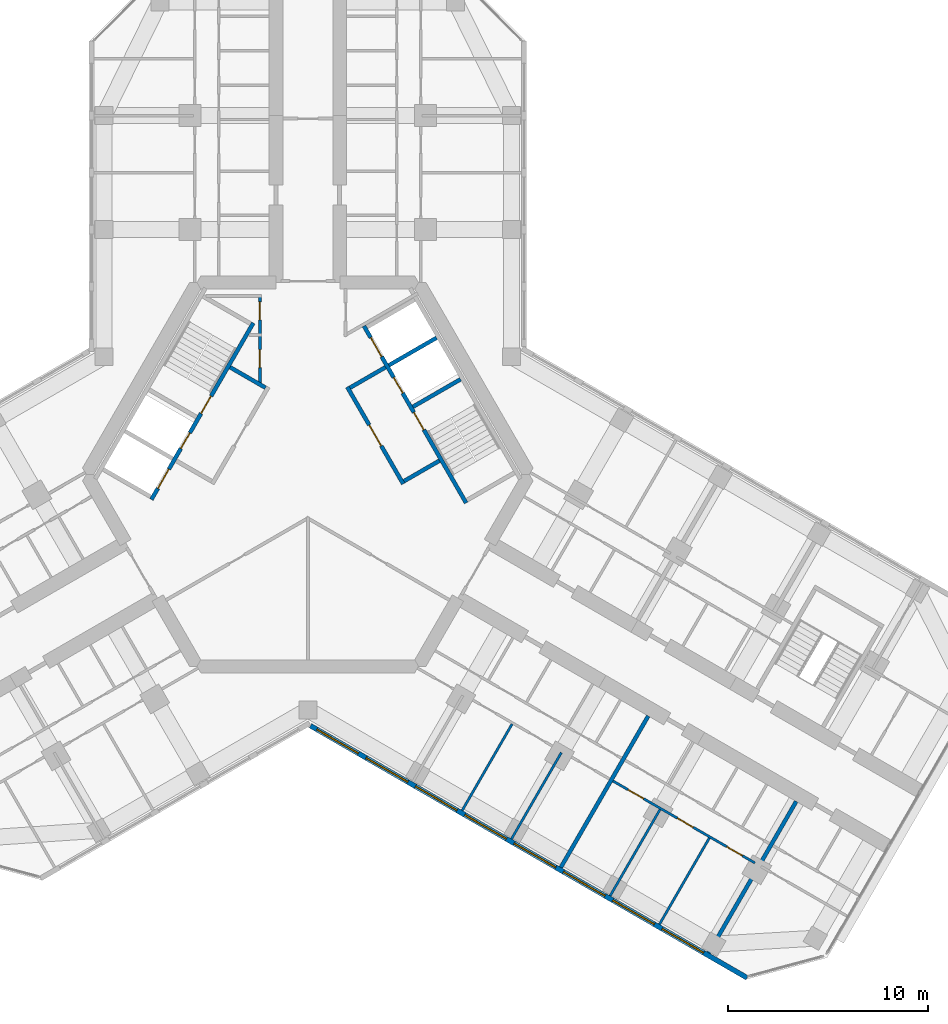
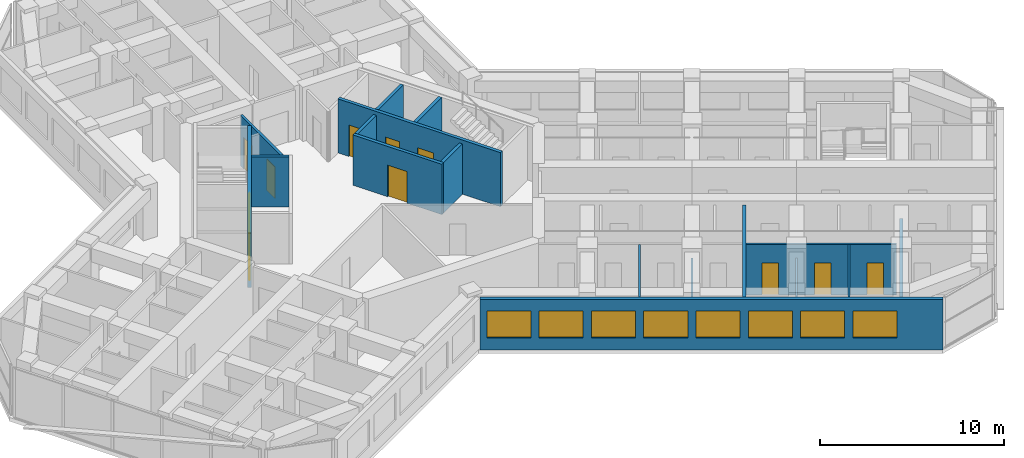
# One storey, part 10 of 16: 17 walls, 12 doors, 8 windows, 20 openings.
"""IFC4 building model written with IfcOpenShell, lengths in metres."""

from ifc_helpers import new_model, si_unit, direction, frame, frame_2d, origin, place, context, subcontext, project, spatial, rectangle, extrude, material, layer, layer_set, type_object, element, fill, save


model = new_model("IFC4")

# Units and contexts
model_context = context("Model", 3, precision=1e-05, world=origin(), true_north=direction((0.0, 1.0)))
body_context = subcontext(model_context, "Body", "Model", "MODEL_VIEW")
ifc_project = project(units=[si_unit("LENGTHUNIT", "METRE"), si_unit("AREAUNIT", "SQUARE_METRE"), si_unit("VOLUMEUNIT", "CUBIC_METRE"), si_unit("PLANEANGLEUNIT", "RADIAN"), si_unit("MASSUNIT", "GRAM", prefix="KILO")], contexts=[model_context])

# Site, building, storey
site_placement = place(None, origin())
site = spatial("IfcSite", under=ifc_project, at=site_placement, CompositionType="ELEMENT")
building_placement = place(site_placement, origin())
building = spatial("IfcBuilding", under=site, at=building_placement, Name="Kosmar Iwan School Tower", CompositionType="ELEMENT")
storey_placement = place(building_placement, frame((0.0, 0.0, 208.199951171875)))
storey = spatial("IfcBuildingStorey", under=building, at=storey_placement, Name="L52", CompositionType="ELEMENT", Elevation=208.199951171875)

# Wall, openings, doors
ifc_material_1 = material(Name="Gypsum board on steel studs, fire-rated", Category="steel")
ifc_layer_1 = layer(ifc_material_1, 0.14990234375)
ifc_layer_set_1 = layer_set([ifc_layer_1], Name="Core room partition 150")
wall_type_1 = type_object("IfcWallType", Name="Core room partition 150", PredefinedType="PARTITIONING", material=ifc_layer_set_1)
wall_1_placement = place(storey_placement, frame((-2.39990234375, 9.014892578125, 0.0), z_axis=(0.0, 0.0, 1.0), x_axis=(0.0, -1.0, 0.0)))
wall_1 = element("IfcWall", 1, at=wall_1_placement, inside=storey, type_object=wall_type_1, Name="Core room partition L52-CW1", PredefinedType="PARTITIONING", context=body_context, shape_type="SweptSolid", body=[
    extrude(rectangle(XDim=4.484130859375, YDim=0.14990234375, at=frame_2d((2.2421875, 0.0))), origin(), (0.0, 0.0, 1.0), 3.35009765625),
])
opening_1_placement = place(wall_1_placement, frame((0.375, 0.0, 0.0)))
opening_1 = element("IfcOpeningElement", 2, at=opening_1_placement, cuts=wall_1, Name="Opening D14", PredefinedType="OPENING", context=body_context, shape_type="SweptSolid", body=[
    extrude(rectangle(XDim=0.89990234375, YDim=2.10009765625, at=frame_2d((0.449951171875, 1.050048828125))), frame((0.0, 0.0869140625, 0.0), z_axis=(0.0, -1.0, 0.0), x_axis=(1.0, 0.0, 0.0)), (0.0, 0.0, 1.0), 0.173828125),
])
opening_2_placement = place(wall_1_placement, frame((2.77490234375, 0.0, 0.0)))
opening_2 = element("IfcOpeningElement", 3, at=opening_2_placement, cuts=wall_1, Name="Opening D14", PredefinedType="OPENING", context=body_context, shape_type="SweptSolid", body=[
    extrude(rectangle(XDim=0.89990234375, YDim=2.10009765625, at=frame_2d((0.449951171875, 1.050048828125))), frame((0.0, 0.0869140625, 0.0), z_axis=(0.0, -1.0, 0.0), x_axis=(1.0, 0.0, 0.0)), (0.0, 0.0, 1.0), 0.173828125),
])
ifc_material_2 = material(Name="Timber fire door in steel frame", Category="steel")
door_type_1 = type_object("IfcDoorType", Name="Core room door 900x2100", OperationType="SINGLE_SWING_LEFT", PredefinedType="DOOR", material=ifc_material_2)
door_1_placement = place(opening_1_placement, origin())
door_1 = element("IfcDoor", 4, at=door_1_placement, inside=storey, type_object=door_type_1, Name="Electrical riser and switch room door L52 1", OperationType="SINGLE_SWING_LEFT", OverallHeight=2.10009765625, OverallWidth=0.89990234375, PredefinedType="DOOR", context=body_context, shape_type="SweptSolid", body=[
    extrude(rectangle(XDim=0.89990234375, YDim=2.10009765625, at=frame_2d((0.449951171875, 1.050048828125))), frame((0.0, 0.02490234375, 0.0), z_axis=(0.0, -1.0, 0.0), x_axis=(1.0, 0.0, 0.0)), (0.0, 0.0, 1.0), 0.050048828125),
])
fill(opening_1, door_1)
door_2_placement = place(opening_2_placement, origin())
door_2 = element("IfcDoor", 5, at=door_2_placement, inside=storey, type_object=door_type_1, Name="Plumbing and wet riser door L52 2", OperationType="SINGLE_SWING_RIGHT", OverallHeight=2.10009765625, OverallWidth=0.89990234375, PredefinedType="DOOR", context=body_context, shape_type="SweptSolid", body=[
    extrude(rectangle(XDim=0.89990234375, YDim=2.10009765625, at=frame_2d((0.449951171875, 1.050048828125))), frame((0.0, 0.02490234375, 0.0), z_axis=(0.0, -1.0, 0.0), x_axis=(1.0, 0.0, 0.0)), (0.0, 0.0, 1.0), 0.050048828125),
])
fill(opening_2, door_2)

# Walls
ifc_material_3 = material(Name="Gypsum board on steel studs", Category="steel")
ifc_layer_2 = layer(ifc_material_3, 0.1201171875)
ifc_layer_set_2 = layer_set([ifc_layer_2], Name="Dwelling partition 120")
wall_type_2 = type_object("IfcWallType", Name="Dwelling partition 120", PredefinedType="PARTITIONING", material=ifc_layer_set_2)
wall_2_placement = place(storey_placement, frame((10.221923828125, -12.4951171875, 0.0), z_axis=(0.0, 0.0, 1.0), x_axis=(-0.499996339024, -0.86602751744, 0.0)))
element("IfcWall", 6, at=wall_2_placement, inside=storey, type_object=wall_type_2, Name="Partition L52-CR1-X2", PredefinedType="PARTITIONING", context=body_context, shape_type="SweptSolid", body=[
    extrude(rectangle(XDim=4.98974609375, YDim=0.1201171875, at=frame_2d((2.494873046875, 0.0))), origin(), (0.0, 0.0, 1.0), 3.35009765625),
])
wall_3_placement = place(storey_placement, frame((12.690185546875, -13.919921875, 0.0), z_axis=(0.0, 0.0, 1.0), x_axis=(-0.500011847778, -0.866018563358, 0.0)))
element("IfcWall", 7, at=wall_3_placement, inside=storey, type_object=wall_type_2, Name="Partition L52-CR1-X3", PredefinedType="PARTITIONING", context=body_context, shape_type="SweptSolid", body=[
    extrude(rectangle(XDim=4.990234375, YDim=0.1201171875, at=frame_2d((2.4951171875, 0.0))), origin(), (0.0, 0.0, 1.0), 2.449951171875),
])

# Wall, openings, doors
wall_4_placement = place(storey_placement, frame((15.27490234375, -15.343017578125, 0.0), z_axis=(0.0, 0.0, 1.0), x_axis=(0.866017504342, -0.500013681986, 0.0)))
wall_4 = element("IfcWall", 8, at=wall_4_placement, inside=storey, type_object=wall_type_2, Name="Partition L52-CR2-W2", PredefinedType="PARTITIONING", context=body_context, shape_type="SweptSolid", body=[
    extrude(rectangle(XDim=8.199951171875, YDim=0.1201171875, at=frame_2d((4.10009765625, 0.0))), origin(), (0.0, 0.0, 1.0), 3.35009765625),
])
opening_3_placement = place(wall_4_placement, frame((0.875, 0.0, 0.0)))
opening_3 = element("IfcOpeningElement", 9, at=opening_3_placement, cuts=wall_4, Name="Opening D2", PredefinedType="OPENING", context=body_context, shape_type="SweptSolid", body=[
    extrude(rectangle(XDim=0.89990234375, YDim=2.10009765625, at=frame_2d((0.449951171875, 1.050048828125))), frame((0.0, 0.072021484375, 0.0), z_axis=(0.0, -1.0, 0.0), x_axis=(1.0, 0.0, 0.0)), (0.0, 0.0, 1.0), 0.14404296875),
])
opening_4_placement = place(wall_4_placement, frame((3.72509765625, 0.0, 0.0)))
opening_4 = element("IfcOpeningElement", 10, at=opening_4_placement, cuts=wall_4, Name="Opening D2", PredefinedType="OPENING", context=body_context, shape_type="SweptSolid", body=[
    extrude(rectangle(XDim=0.89990234375, YDim=2.10009765625, at=frame_2d((0.449951171875, 1.050048828125))), frame((0.0, 0.072021484375, 0.0), z_axis=(0.0, -1.0, 0.0), x_axis=(1.0, 0.0, 0.0)), (0.0, 0.0, 1.0), 0.14404296875),
])
opening_5_placement = place(wall_4_placement, frame((6.574951171875, 0.0, 0.0)))
opening_5 = element("IfcOpeningElement", 11, at=opening_5_placement, cuts=wall_4, Name="Opening D2", PredefinedType="OPENING", context=body_context, shape_type="SweptSolid", body=[
    extrude(rectangle(XDim=0.89990234375, YDim=2.10009765625, at=frame_2d((0.449951171875, 1.050048828125))), frame((0.0, 0.072021484375, 0.0), z_axis=(0.0, -1.0, 0.0), x_axis=(1.0, 0.0, 0.0)), (0.0, 0.0, 1.0), 0.14404296875),
])
ifc_material_4 = material(Name="Timber door in timber frame", Category="wood")
door_type_2 = type_object("IfcDoorType", Name="Internal door 900x2100", OperationType="SINGLE_SWING_LEFT", PredefinedType="DOOR", material=ifc_material_4)
door_3_placement = place(opening_3_placement, origin())
door_3 = element("IfcDoor", 12, at=door_3_placement, inside=storey, type_object=door_type_2, Name="Grandparents' suite door L52-CR2-F1", OperationType="SINGLE_SWING_LEFT", OverallHeight=2.10009765625, OverallWidth=0.89990234375, PredefinedType="DOOR", context=body_context, shape_type="SweptSolid", body=[
    extrude(rectangle(XDim=0.89990234375, YDim=2.10009765625, at=frame_2d((0.449951171875, 1.050048828125))), frame((0.0, 0.02490234375, 0.0), z_axis=(0.0, -1.0, 0.0), x_axis=(1.0, 0.0, 0.0)), (0.0, 0.0, 1.0), 0.050048828125),
])
fill(opening_3, door_3)
door_4_placement = place(opening_4_placement, origin())
door_4 = element("IfcDoor", 13, at=door_4_placement, inside=storey, type_object=door_type_2, Name="Living room and kitchen door L52-CR2-F2", OperationType="SINGLE_SWING_RIGHT", OverallHeight=2.10009765625, OverallWidth=0.89990234375, PredefinedType="DOOR", context=body_context, shape_type="SweptSolid", body=[
    extrude(rectangle(XDim=0.89990234375, YDim=2.10009765625, at=frame_2d((0.449951171875, 1.050048828125))), frame((0.0, 0.02490234375, 0.0), z_axis=(0.0, -1.0, 0.0), x_axis=(1.0, 0.0, 0.0)), (0.0, 0.0, 1.0), 0.050048828125),
])
fill(opening_4, door_4)
door_5_placement = place(opening_5_placement, origin())
door_5 = element("IfcDoor", 14, at=door_5_placement, inside=storey, type_object=door_type_2, Name="Bedroom 1 door L52-CR2-F3", OperationType="SINGLE_SWING_RIGHT", OverallHeight=2.10009765625, OverallWidth=0.89990234375, PredefinedType="DOOR", context=body_context, shape_type="SweptSolid", body=[
    extrude(rectangle(XDim=0.89990234375, YDim=2.10009765625, at=frame_2d((0.449951171875, 1.050048828125))), frame((0.0, 0.02490234375, 0.0), z_axis=(0.0, -1.0, 0.0), x_axis=(1.0, 0.0, 0.0)), (0.0, 0.0, 1.0), 0.050048828125),
])
fill(opening_5, door_5)

# Walls
wall_5_placement = place(storey_placement, frame((17.62646484375, -16.77001953125, 0.0), z_axis=(0.0, 0.0, 1.0), x_axis=(-0.499975153383, -0.86603974851, 0.0)))
element("IfcWall", 15, at=wall_5_placement, inside=storey, type_object=wall_type_2, Name="Partition L52-CR2-X1", PredefinedType="PARTITIONING", context=body_context, shape_type="SweptSolid", body=[
    extrude(rectangle(XDim=4.989990234375, YDim=0.1201171875, at=frame_2d((2.4951171875, 0.0))), origin(), (0.0, 0.0, 1.0), 2.449951171875),
])
wall_6_placement = place(storey_placement, frame((20.0947265625, -18.195068359375, 0.0), z_axis=(0.0, 0.0, 1.0), x_axis=(-0.500011847778, -0.866018563358, 0.0)))
element("IfcWall", 16, at=wall_6_placement, inside=storey, type_object=wall_type_2, Name="Partition L52-CR2-X2", PredefinedType="PARTITIONING", context=body_context, shape_type="SweptSolid", body=[
    extrude(rectangle(XDim=4.990234375, YDim=0.1201171875, at=frame_2d((2.4951171875, 0.0))), origin(), (0.0, 0.0, 1.0), 3.35009765625),
])

# Wall, openings, windows
ifc_material_5 = material(Name="Black aluminium rainscreen on insulated framing", Category="aluminium")
ifc_layer_3 = layer(ifc_material_5, 0.25)
ifc_layer_set_3 = layer_set([ifc_layer_3], Name="External wall rainscreen 250")
wall_type_3 = type_object("IfcWallType", Name="External wall rainscreen 250", PredefinedType="SOLIDWALL", material=ifc_layer_set_3)
wall_7_placement = place(storey_placement, frame((0.137939453125, -12.5791015625, 0.0), z_axis=(0.0, 0.0, 1.0), x_axis=(0.866023775649, -0.500002820003, 0.0)))
wall_7 = element("IfcWall", 17, at=wall_7_placement, inside=storey, type_object=wall_type_3, Name="External wall CR L52", PredefinedType="SOLIDWALL", context=body_context, shape_type="SweptSolid", body=[
    extrude(rectangle(XDim=25.226318359375, YDim=0.25, at=frame_2d((12.61328125, 0.0))), origin(), (0.0, 0.0, 1.0), 3.35009765625),
])
opening_6_placement = place(wall_7_placement, frame((0.365966796875, 0.0, 0.800048828125)))
opening_6 = element("IfcOpeningElement", 18, at=opening_6_placement, cuts=wall_7, Name="Opening W5", PredefinedType="OPENING", context=body_context, shape_type="SweptSolid", body=[
    extrude(rectangle(XDim=2.39990234375, YDim=1.800048828125, at=frame_2d((1.199951171875, 0.89990234375))), frame((0.0, 0.136962890625, 0.0), z_axis=(0.0, -1.0, 0.0), x_axis=(1.0, 0.0, 0.0)), (0.0, 0.0, 1.0), 0.27392578125),
])
opening_7_placement = place(wall_7_placement, frame((3.216064453125, 0.0, 0.800048828125)))
opening_7 = element("IfcOpeningElement", 19, at=opening_7_placement, cuts=wall_7, Name="Opening W5", PredefinedType="OPENING", context=body_context, shape_type="SweptSolid", body=[
    extrude(rectangle(XDim=2.39990234375, YDim=1.800048828125, at=frame_2d((1.199951171875, 0.89990234375))), frame((0.0, 0.136962890625, 0.0), z_axis=(0.0, -1.0, 0.0), x_axis=(1.0, 0.0, 0.0)), (0.0, 0.0, 1.0), 0.27392578125),
])
opening_8_placement = place(wall_7_placement, frame((6.06591796875, 0.0, 0.800048828125)))
opening_8 = element("IfcOpeningElement", 20, at=opening_8_placement, cuts=wall_7, Name="Opening W5", PredefinedType="OPENING", context=body_context, shape_type="SweptSolid", body=[
    extrude(rectangle(XDim=2.39990234375, YDim=1.800048828125, at=frame_2d((1.199951171875, 0.89990234375))), frame((0.0, 0.136962890625, 0.0), z_axis=(0.0, -1.0, 0.0), x_axis=(1.0, 0.0, 0.0)), (0.0, 0.0, 1.0), 0.27392578125),
])
opening_9_placement = place(wall_7_placement, frame((8.916015625, 0.0, 0.800048828125)))
opening_9 = element("IfcOpeningElement", 21, at=opening_9_placement, cuts=wall_7, Name="Opening W5", PredefinedType="OPENING", context=body_context, shape_type="SweptSolid", body=[
    extrude(rectangle(XDim=2.39990234375, YDim=1.800048828125, at=frame_2d((1.199951171875, 0.89990234375))), frame((0.0, 0.136962890625, 0.0), z_axis=(0.0, -1.0, 0.0), x_axis=(1.0, 0.0, 0.0)), (0.0, 0.0, 1.0), 0.27392578125),
])
opening_10_placement = place(wall_7_placement, frame((11.76611328125, 0.0, 0.800048828125)))
opening_10 = element("IfcOpeningElement", 22, at=opening_10_placement, cuts=wall_7, Name="Opening W5", PredefinedType="OPENING", context=body_context, shape_type="SweptSolid", body=[
    extrude(rectangle(XDim=2.39990234375, YDim=1.800048828125, at=frame_2d((1.199951171875, 0.89990234375))), frame((0.0, 0.136962890625, 0.0), z_axis=(0.0, -1.0, 0.0), x_axis=(1.0, 0.0, 0.0)), (0.0, 0.0, 1.0), 0.27392578125),
])
opening_11_placement = place(wall_7_placement, frame((14.615966796875, 0.0, 0.800048828125)))
opening_11 = element("IfcOpeningElement", 23, at=opening_11_placement, cuts=wall_7, Name="Opening W5", PredefinedType="OPENING", context=body_context, shape_type="SweptSolid", body=[
    extrude(rectangle(XDim=2.39990234375, YDim=1.800048828125, at=frame_2d((1.199951171875, 0.89990234375))), frame((0.0, 0.136962890625, 0.0), z_axis=(0.0, -1.0, 0.0), x_axis=(1.0, 0.0, 0.0)), (0.0, 0.0, 1.0), 0.27392578125),
])
opening_12_placement = place(wall_7_placement, frame((17.466064453125, 0.0, 0.800048828125)))
opening_12 = element("IfcOpeningElement", 24, at=opening_12_placement, cuts=wall_7, Name="Opening W5", PredefinedType="OPENING", context=body_context, shape_type="SweptSolid", body=[
    extrude(rectangle(XDim=2.39990234375, YDim=1.800048828125, at=frame_2d((1.199951171875, 0.89990234375))), frame((0.0, 0.136962890625, 0.0), z_axis=(0.0, -1.0, 0.0), x_axis=(1.0, 0.0, 0.0)), (0.0, 0.0, 1.0), 0.27392578125),
])
opening_13_placement = place(wall_7_placement, frame((20.31591796875, 0.0, 0.800048828125)))
opening_13 = element("IfcOpeningElement", 25, at=opening_13_placement, cuts=wall_7, Name="Opening W5", PredefinedType="OPENING", context=body_context, shape_type="SweptSolid", body=[
    extrude(rectangle(XDim=2.39990234375, YDim=1.800048828125, at=frame_2d((1.199951171875, 0.89990234375))), frame((0.0, 0.136962890625, 0.0), z_axis=(0.0, -1.0, 0.0), x_axis=(1.0, 0.0, 0.0)), (0.0, 0.0, 1.0), 0.27392578125),
])
ifc_material_6 = material(Name="Black aluminium frame with dark triple glazing", Category="aluminium")
window_type = type_object("IfcWindowType", Name="Window 2400x1800", PartitioningType="SINGLE_PANEL", PredefinedType="WINDOW", material=ifc_material_6)
window_1_placement = place(opening_6_placement, origin())
window_1 = element("IfcWindow", 26, at=window_1_placement, inside=storey, type_object=window_type, Name="Window CR L52 -1", OverallHeight=1.800048828125, OverallWidth=2.39990234375, PartitioningType="SINGLE_PANEL", PredefinedType="WINDOW", context=body_context, shape_type="SweptSolid", body=[
    extrude(rectangle(XDim=2.39990234375, YDim=1.800048828125, at=frame_2d((1.199951171875, 0.89990234375))), frame((0.0, 0.030029296875, 0.0), z_axis=(0.0, -1.0, 0.0), x_axis=(1.0, 0.0, 0.0)), (0.0, 0.0, 1.0), 0.06005859375),
])
fill(opening_6, window_1)
window_2_placement = place(opening_7_placement, origin())
window_2 = element("IfcWindow", 27, at=window_2_placement, inside=storey, type_object=window_type, Name="Window CR L52 0", OverallHeight=1.800048828125, OverallWidth=2.39990234375, PartitioningType="SINGLE_PANEL", PredefinedType="WINDOW", context=body_context, shape_type="SweptSolid", body=[
    extrude(rectangle(XDim=2.39990234375, YDim=1.800048828125, at=frame_2d((1.199951171875, 0.89990234375))), frame((0.0, 0.030029296875, 0.0), z_axis=(0.0, -1.0, 0.0), x_axis=(1.0, 0.0, 0.0)), (0.0, 0.0, 1.0), 0.06005859375),
])
fill(opening_7, window_2)
window_3_placement = place(opening_8_placement, origin())
window_3 = element("IfcWindow", 28, at=window_3_placement, inside=storey, type_object=window_type, Name="Window CR L52 1", OverallHeight=1.800048828125, OverallWidth=2.39990234375, PartitioningType="SINGLE_PANEL", PredefinedType="WINDOW", context=body_context, shape_type="SweptSolid", body=[
    extrude(rectangle(XDim=2.39990234375, YDim=1.800048828125, at=frame_2d((1.199951171875, 0.89990234375))), frame((0.0, 0.030029296875, 0.0), z_axis=(0.0, -1.0, 0.0), x_axis=(1.0, 0.0, 0.0)), (0.0, 0.0, 1.0), 0.06005859375),
])
fill(opening_8, window_3)
window_4_placement = place(opening_9_placement, origin())
window_4 = element("IfcWindow", 29, at=window_4_placement, inside=storey, type_object=window_type, Name="Window CR L52 2", OverallHeight=1.800048828125, OverallWidth=2.39990234375, PartitioningType="SINGLE_PANEL", PredefinedType="WINDOW", context=body_context, shape_type="SweptSolid", body=[
    extrude(rectangle(XDim=2.39990234375, YDim=1.800048828125, at=frame_2d((1.199951171875, 0.89990234375))), frame((0.0, 0.030029296875, 0.0), z_axis=(0.0, -1.0, 0.0), x_axis=(1.0, 0.0, 0.0)), (0.0, 0.0, 1.0), 0.06005859375),
])
fill(opening_9, window_4)
window_5_placement = place(opening_10_placement, origin())
window_5 = element("IfcWindow", 30, at=window_5_placement, inside=storey, type_object=window_type, Name="Window CR L52 3", OverallHeight=1.800048828125, OverallWidth=2.39990234375, PartitioningType="SINGLE_PANEL", PredefinedType="WINDOW", context=body_context, shape_type="SweptSolid", body=[
    extrude(rectangle(XDim=2.39990234375, YDim=1.800048828125, at=frame_2d((1.199951171875, 0.89990234375))), frame((0.0, 0.030029296875, 0.0), z_axis=(0.0, -1.0, 0.0), x_axis=(1.0, 0.0, 0.0)), (0.0, 0.0, 1.0), 0.06005859375),
])
fill(opening_10, window_5)
window_6_placement = place(opening_11_placement, origin())
window_6 = element("IfcWindow", 31, at=window_6_placement, inside=storey, type_object=window_type, Name="Window CR L52 4", OverallHeight=1.800048828125, OverallWidth=2.39990234375, PartitioningType="SINGLE_PANEL", PredefinedType="WINDOW", context=body_context, shape_type="SweptSolid", body=[
    extrude(rectangle(XDim=2.39990234375, YDim=1.800048828125, at=frame_2d((1.199951171875, 0.89990234375))), frame((0.0, 0.030029296875, 0.0), z_axis=(0.0, -1.0, 0.0), x_axis=(1.0, 0.0, 0.0)), (0.0, 0.0, 1.0), 0.06005859375),
])
fill(opening_11, window_6)
window_7_placement = place(opening_12_placement, origin())
window_7 = element("IfcWindow", 32, at=window_7_placement, inside=storey, type_object=window_type, Name="Window CR L52 5", OverallHeight=1.800048828125, OverallWidth=2.39990234375, PartitioningType="SINGLE_PANEL", PredefinedType="WINDOW", context=body_context, shape_type="SweptSolid", body=[
    extrude(rectangle(XDim=2.39990234375, YDim=1.800048828125, at=frame_2d((1.199951171875, 0.89990234375))), frame((0.0, 0.030029296875, 0.0), z_axis=(0.0, -1.0, 0.0), x_axis=(1.0, 0.0, 0.0)), (0.0, 0.0, 1.0), 0.06005859375),
])
fill(opening_12, window_7)
window_8_placement = place(opening_13_placement, origin())
window_8 = element("IfcWindow", 33, at=window_8_placement, inside=storey, type_object=window_type, Name="Window CR L52 6", OverallHeight=1.800048828125, OverallWidth=2.39990234375, PartitioningType="SINGLE_PANEL", PredefinedType="WINDOW", context=body_context, shape_type="SweptSolid", body=[
    extrude(rectangle(XDim=2.39990234375, YDim=1.800048828125, at=frame_2d((1.199951171875, 0.89990234375))), frame((0.0, 0.030029296875, 0.0), z_axis=(0.0, -1.0, 0.0), x_axis=(1.0, 0.0, 0.0)), (0.0, 0.0, 1.0), 0.06005859375),
])
fill(opening_13, window_8)

# Wall
ifc_material_7 = material(Name="Concrete block masonry", Category="masonry")
ifc_layer_4 = layer(ifc_material_7, 0.199951171875)
ifc_layer_set_4 = layer_set([ifc_layer_4], Name="Fire lobby wall 200")
wall_type_4 = type_object("IfcWallType", Name="Fire lobby wall 200", PredefinedType="PARTITIONING", material=ifc_layer_set_4)
wall_8_placement = place(storey_placement, frame((-2.114013671875, 4.33837890625, 0.0), z_axis=(0.0, 0.0, 1.0), x_axis=(-0.866050731258, 0.499956128963, 0.0)))
element("IfcWall", 34, at=wall_8_placement, inside=storey, type_object=wall_type_4, Name="Firefighting lobby wall ST2", PredefinedType="PARTITIONING", context=body_context, shape_type="SweptSolid", body=[
    extrude(rectangle(XDim=2.050048828125, YDim=0.199951171875, at=frame_2d((1.02490234375, 0.0))), origin(), (0.0, 0.0, 1.0), 3.35009765625),
])

# Wall, opening, door
wall_9_placement = place(storey_placement, frame((4.777587890625, -0.474853515625, 0.0), z_axis=(0.0, 0.0, 1.0), x_axis=(-0.500016814911, 0.866015695474, 0.0)))
wall_9 = element("IfcWall", 35, at=wall_9_placement, inside=storey, type_object=wall_type_4, Name="Firefighting lobby wall ST1", PredefinedType="PARTITIONING", context=body_context, shape_type="SweptSolid", body=[
    extrude(rectangle(XDim=5.599853515625, YDim=0.199951171875, at=frame_2d((2.7998046875, 0.0))), origin(), (0.0, 0.0, 1.0), 3.35009765625),
])
opening_14_placement = place(wall_9_placement, frame((2.199951171875, 0.0, 0.0)))
opening_14 = element("IfcOpeningElement", 36, at=opening_14_placement, cuts=wall_9, Name="Opening D7", PredefinedType="OPENING", context=body_context, shape_type="SweptSolid", body=[
    extrude(rectangle(XDim=1.199951171875, YDim=2.10009765625, at=frame_2d((0.60009765625, 1.050048828125))), frame((0.0, 0.112060546875, 0.0), z_axis=(0.0, -1.0, 0.0), x_axis=(1.0, 0.0, 0.0)), (0.0, 0.0, 1.0), 0.223876953125),
])
ifc_material_8 = material(Name="Steel fire door", Category="steel")
door_type_3 = type_object("IfcDoorType", Name="Fire lobby door 1200x2100", OperationType="SINGLE_SWING_LEFT", PredefinedType="DOOR", material=ifc_material_8)
door_6_placement = place(opening_14_placement, origin())
door_6 = element("IfcDoor", 37, at=door_6_placement, inside=storey, type_object=door_type_3, Name="Firefighting lobby door ST1 L52", OperationType="SINGLE_SWING_RIGHT", OverallHeight=2.10009765625, OverallWidth=1.199951171875, PredefinedType="DOOR", context=body_context, shape_type="SweptSolid", body=[
    extrude(rectangle(XDim=1.199951171875, YDim=2.10009765625, at=frame_2d((0.60009765625, 1.050048828125))), frame((0.0, 0.02490234375, 0.0), z_axis=(0.0, -1.0, 0.0), x_axis=(1.0, 0.0, 0.0)), (0.0, 0.0, 1.0), 0.050048828125),
])
fill(opening_14, door_6)

# Walls
wall_10_placement = place(storey_placement, frame((4.814208984375, -0.33837890625, 0.0), z_axis=(0.0, 0.0, 1.0), x_axis=(0.865969381856, 0.500097020274, 0.0)))
element("IfcWall", 38, at=wall_10_placement, inside=storey, type_object=wall_type_4, Name="Firefighting lobby wall ST1", PredefinedType="PARTITIONING", context=body_context, shape_type="SweptSolid", body=[
    extrude(rectangle(XDim=2.0498046875, YDim=0.199951171875, at=frame_2d((1.02490234375, 0.0))), origin(), (0.0, 0.0, 1.0), 3.35009765625),
])
wall_11_placement = place(storey_placement, frame((2.114013671875, 4.33837890625, 0.0), z_axis=(0.0, 0.0, 1.0), x_axis=(0.866050731258, 0.499956128963, 0.0)))
element("IfcWall", 39, at=wall_11_placement, inside=storey, type_object=wall_type_4, Name="Firefighting lobby wall ST1", PredefinedType="PARTITIONING", context=body_context, shape_type="SweptSolid", body=[
    extrude(rectangle(XDim=2.050048828125, YDim=0.199951171875, at=frame_2d((1.02490234375, 0.0))), origin(), (0.0, 0.0, 1.0), 3.35009765625),
])

# Wall, openings, doors
ifc_material_9 = material(Name="Concrete C50/60", Category="concrete")
ifc_layer_5 = layer(ifc_material_9, 0.199951171875)
ifc_layer_set_5 = layer_set([ifc_layer_5], Name="Lift shaft wall 200")
wall_type_5 = type_object("IfcWallType", Name="Lift shaft wall 200", PredefinedType="SHEAR", material=ifc_layer_set_5)
wall_12_placement = place(storey_placement, frame((-2.72607421875, 7.578369140625, 0.0), z_axis=(0.0, 0.0, 1.0), x_axis=(-0.500005610874, -0.86602216432, 0.0)))
wall_12 = element("IfcWall", 40, at=wall_12_placement, inside=storey, type_object=wall_type_5, Name="Lift and stair front wall AB", PredefinedType="SHEAR", context=body_context, shape_type="SweptSolid", body=[
    extrude(rectangle(XDim=10.2001953125, YDim=0.199951171875, at=frame_2d((5.10009765625, 0.0))), origin(), (0.0, 0.0, 1.0), 3.60009765625),
])
opening_15_placement = place(wall_12_placement, frame((6.35009765625, 0.0, 0.0)))
opening_15 = element("IfcOpeningElement", 41, at=opening_15_placement, cuts=wall_12, Name="Opening LD2", PredefinedType="OPENING", context=body_context, shape_type="SweptSolid", body=[
    extrude(rectangle(XDim=0.89990234375, YDim=2.10009765625, at=frame_2d((0.449951171875, 1.050048828125))), frame((0.0, 0.112060546875, 0.0), z_axis=(0.0, -1.0, 0.0), x_axis=(1.0, 0.0, 0.0)), (0.0, 0.0, 1.0), 0.223876953125),
])
opening_16_placement = place(wall_12_placement, frame((8.449951171875, 0.0, 0.0)))
opening_16 = element("IfcOpeningElement", 42, at=opening_16_placement, cuts=wall_12, Name="Opening LD1", PredefinedType="OPENING", context=body_context, shape_type="SweptSolid", body=[
    extrude(rectangle(XDim=1.10009765625, YDim=2.10009765625, at=frame_2d((0.550048828125, 1.050048828125))), frame((0.0, 0.112060546875, 0.0), z_axis=(0.0, -1.0, 0.0), x_axis=(1.0, 0.0, 0.0)), (0.0, 0.0, 1.0), 0.223876953125),
])
opening_17_placement = place(wall_12_placement, frame((4.22998046875, 0.0, 0.0)))
opening_17 = element("IfcOpeningElement", 43, at=opening_17_placement, cuts=wall_12, Name="Opening D6", PredefinedType="OPENING", context=body_context, shape_type="SweptSolid", body=[
    extrude(rectangle(XDim=1.0, YDim=2.10009765625, at=frame_2d((0.5, 1.050048828125))), frame((0.0, 0.112060546875, 0.0), z_axis=(0.0, -1.0, 0.0), x_axis=(1.0, 0.0, 0.0)), (0.0, 0.0, 1.0), 0.223876953125),
])
ifc_material_10 = material(Name="Stainless steel sliding lift door", Category="steel")
door_type_4 = type_object("IfcDoorType", Name="Firefighting lift landing door 900x2100", OperationType="SLIDING_TO_LEFT", PredefinedType="DOOR", material=ifc_material_10)
door_7_placement = place(opening_15_placement, origin())
door_7 = element("IfcDoor", 44, at=door_7_placement, inside=storey, type_object=door_type_4, Name="Lift FF2 landing door L52", OperationType="SLIDING_TO_LEFT", OverallHeight=2.10009765625, OverallWidth=0.89990234375, PredefinedType="DOOR", context=body_context, shape_type="SweptSolid", body=[
    extrude(rectangle(XDim=0.89990234375, YDim=2.10009765625, at=frame_2d((0.449951171875, 1.050048828125))), frame((0.0, 0.02490234375, 0.0), z_axis=(0.0, -1.0, 0.0), x_axis=(1.0, 0.0, 0.0)), (0.0, 0.0, 1.0), 0.050048828125),
])
fill(opening_15, door_7)
ifc_material_11 = material(Name="Stainless steel sliding lift door", Category="steel")
door_type_5 = type_object("IfcDoorType", Name="Lift landing door 1100x2100", OperationType="SLIDING_TO_LEFT", PredefinedType="DOOR", material=ifc_material_11)
door_8_placement = place(opening_16_placement, origin())
door_8 = element("IfcDoor", 45, at=door_8_placement, inside=storey, type_object=door_type_5, Name="Lift PL6 landing door L52", OperationType="SLIDING_TO_LEFT", OverallHeight=2.10009765625, OverallWidth=1.10009765625, PredefinedType="DOOR", context=body_context, shape_type="SweptSolid", body=[
    extrude(rectangle(XDim=1.10009765625, YDim=2.10009765625, at=frame_2d((0.550048828125, 1.050048828125))), frame((0.0, 0.02490234375, 0.0), z_axis=(0.0, -1.0, 0.0), x_axis=(1.0, 0.0, 0.0)), (0.0, 0.0, 1.0), 0.050048828125),
])
fill(opening_16, door_8)
ifc_material_12 = material(Name="Steel fire door", Category="steel")
door_type_6 = type_object("IfcDoorType", Name="Stair door 1000x2100", OperationType="SINGLE_SWING_LEFT", PredefinedType="DOOR", material=ifc_material_12)
door_9_placement = place(opening_17_placement, origin())
door_9 = element("IfcDoor", 46, at=door_9_placement, inside=storey, type_object=door_type_6, Name="Stair ST2 door L52", OperationType="SINGLE_SWING_LEFT", OverallHeight=2.10009765625, OverallWidth=1.0, PredefinedType="DOOR", context=body_context, shape_type="SweptSolid", body=[
    extrude(rectangle(XDim=1.0, YDim=2.10009765625, at=frame_2d((0.5, 1.050048828125))), frame((0.0, 0.02490234375, 0.0), z_axis=(0.0, -1.0, 0.0), x_axis=(1.0, 0.0, 0.0)), (0.0, 0.0, 1.0), 0.050048828125),
])
fill(opening_17, door_9)

wall_13_placement = place(storey_placement, frame((7.926025390625, -1.42822265625, 0.0), z_axis=(0.0, 0.0, 1.0), x_axis=(-0.50000905659, 0.866020174897, 0.0)))
wall_13 = element("IfcWall", 47, at=wall_13_placement, inside=storey, type_object=wall_type_5, Name="Lift and stair front wall AC", PredefinedType="SHEAR", context=body_context, shape_type="SweptSolid", body=[
    extrude(rectangle(XDim=10.224853515625, YDim=0.199951171875, at=frame_2d((5.1123046875, 0.0))), origin(), (0.0, 0.0, 1.0), 3.60009765625),
])
opening_18_placement = place(wall_13_placement, frame((6.35009765625, 0.0, 0.0)))
opening_18 = element("IfcOpeningElement", 48, at=opening_18_placement, cuts=wall_13, Name="Opening LD2", PredefinedType="OPENING", context=body_context, shape_type="SweptSolid", body=[
    extrude(rectangle(XDim=0.89990234375, YDim=2.10009765625, at=frame_2d((0.449951171875, 1.050048828125))), frame((0.0, 0.112060546875, 0.0), z_axis=(0.0, -1.0, 0.0), x_axis=(1.0, 0.0, 0.0)), (0.0, 0.0, 1.0), 0.223876953125),
])
opening_19_placement = place(wall_13_placement, frame((8.449951171875, 0.0, 0.0)))
opening_19 = element("IfcOpeningElement", 49, at=opening_19_placement, cuts=wall_13, Name="Opening LD1", PredefinedType="OPENING", context=body_context, shape_type="SweptSolid", body=[
    extrude(rectangle(XDim=1.10009765625, YDim=2.10009765625, at=frame_2d((0.550048828125, 1.050048828125))), frame((0.0, 0.112060546875, 0.0), z_axis=(0.0, -1.0, 0.0), x_axis=(1.0, 0.0, 0.0)), (0.0, 0.0, 1.0), 0.223876953125),
])
opening_20_placement = place(wall_13_placement, frame((4.22998046875, 0.0, 0.0)))
opening_20 = element("IfcOpeningElement", 50, at=opening_20_placement, cuts=wall_13, Name="Opening D6", PredefinedType="OPENING", context=body_context, shape_type="SweptSolid", body=[
    extrude(rectangle(XDim=1.0, YDim=2.10009765625, at=frame_2d((0.5, 1.050048828125))), frame((0.0, 0.112060546875, 0.0), z_axis=(0.0, -1.0, 0.0), x_axis=(1.0, 0.0, 0.0)), (0.0, 0.0, 1.0), 0.223876953125),
])
door_10_placement = place(opening_18_placement, origin())
door_10 = element("IfcDoor", 51, at=door_10_placement, inside=storey, type_object=door_type_4, Name="Lift FF1 landing door L52", OperationType="SLIDING_TO_LEFT", OverallHeight=2.10009765625, OverallWidth=0.89990234375, PredefinedType="DOOR", context=body_context, shape_type="SweptSolid", body=[
    extrude(rectangle(XDim=0.89990234375, YDim=2.10009765625, at=frame_2d((0.449951171875, 1.050048828125))), frame((0.0, 0.02490234375, 0.0), z_axis=(0.0, -1.0, 0.0), x_axis=(1.0, 0.0, 0.0)), (0.0, 0.0, 1.0), 0.050048828125),
])
fill(opening_18, door_10)
door_11_placement = place(opening_19_placement, origin())
door_11 = element("IfcDoor", 52, at=door_11_placement, inside=storey, type_object=door_type_5, Name="Lift PL5 landing door L52", OperationType="SLIDING_TO_LEFT", OverallHeight=2.10009765625, OverallWidth=1.10009765625, PredefinedType="DOOR", context=body_context, shape_type="SweptSolid", body=[
    extrude(rectangle(XDim=1.10009765625, YDim=2.10009765625, at=frame_2d((0.550048828125, 1.050048828125))), frame((0.0, 0.02490234375, 0.0), z_axis=(0.0, -1.0, 0.0), x_axis=(1.0, 0.0, 0.0)), (0.0, 0.0, 1.0), 0.050048828125),
])
fill(opening_19, door_11)
door_12_placement = place(opening_20_placement, origin())
door_12 = element("IfcDoor", 53, at=door_12_placement, inside=storey, type_object=door_type_6, Name="Stair ST1 door L52", OperationType="SINGLE_SWING_LEFT", OverallHeight=2.10009765625, OverallWidth=1.0, PredefinedType="DOOR", context=body_context, shape_type="SweptSolid", body=[
    extrude(rectangle(XDim=1.0, YDim=2.10009765625, at=frame_2d((0.5, 1.050048828125))), frame((0.0, 0.02490234375, 0.0), z_axis=(0.0, -1.0, 0.0), x_axis=(1.0, 0.0, 0.0)), (0.0, 0.0, 1.0), 0.050048828125),
])
fill(opening_20, door_12)

# Walls
wall_14_placement = place(storey_placement, frame((4.062744140625, 5.46337890625, 0.0), z_axis=(0.0, 0.0, 1.0), x_axis=(0.866027397988, 0.499996545922, 0.0)))
element("IfcWall", 54, at=wall_14_placement, inside=storey, type_object=wall_type_5, Name="Lift shaft wall AC 1", PredefinedType="SHEAR", context=body_context, shape_type="SweptSolid", body=[
    extrude(rectangle(XDim=2.75, YDim=0.199951171875, at=frame_2d((1.375, 0.0))), origin(), (0.0, 0.0, 1.0), 3.60009765625),
])
ifc_material_13 = material(Name="Concrete block masonry", Category="masonry")
ifc_layer_6 = layer(ifc_material_13, 0.199951171875)
ifc_layer_set_6 = layer_set([ifc_layer_6], Name="Party wall 200")
wall_type_6 = type_object("IfcWallType", Name="Party wall 200", PredefinedType="PARTITIONING", material=ifc_layer_set_6)
wall_15_placement = place(storey_placement, frame((17.038330078125, -12.088623046875, 0.0), z_axis=(0.0, 0.0, 1.0), x_axis=(-0.499992152613, -0.866029934428, 0.0)))
element("IfcWall", 55, at=wall_15_placement, inside=storey, type_object=wall_type_6, Name="Partition L52-CR2-PW", PredefinedType="PARTITIONING", context=body_context, shape_type="SweptSolid", body=[
    extrude(rectangle(XDim=8.750244140625, YDim=0.199951171875, at=frame_2d((4.375, 0.0))), origin(), (0.0, 0.0, 1.0), 3.35009765625),
])
wall_16_placement = place(storey_placement, frame((24.44287109375, -16.36376953125, 0.0), z_axis=(0.0, 0.0, 1.0), x_axis=(-0.500004234368, -0.866022959057, 0.0)))
element("IfcWall", 56, at=wall_16_placement, inside=storey, type_object=wall_type_6, Name="Partition L52-CR3-PW", PredefinedType="PARTITIONING", context=body_context, shape_type="SweptSolid", body=[
    extrude(rectangle(XDim=8.75, YDim=0.199951171875, at=frame_2d((4.375, 0.0))), origin(), (0.0, 0.0, 1.0), 2.449951171875),
])
ifc_material_14 = material(Name="Concrete C50/60", Category="concrete")
ifc_layer_7 = layer(ifc_material_14, 0.199951171875)
ifc_layer_set_7 = layer_set([ifc_layer_7], Name="Stair enclosure wall 200")
wall_type_7 = type_object("IfcWallType", Name="Stair enclosure wall 200", PredefinedType="SHEAR", material=ifc_layer_set_7)
wall_17_placement = place(storey_placement, frame((5.2626953125, 3.384765625, 0.0), z_axis=(0.0, 0.0, 1.0), x_axis=(0.866027397988, 0.499996545922, 0.0)))
element("IfcWall", 57, at=wall_17_placement, inside=storey, type_object=wall_type_7, Name="Stair ST1 wall", PredefinedType="SHEAR", context=body_context, shape_type="SweptSolid", body=[
    extrude(rectangle(XDim=2.75, YDim=0.199951171875, at=frame_2d((1.375, 0.0))), origin(), (0.0, 0.0, 1.0), 3.60009765625),
])

save(model, "model.ifc")
